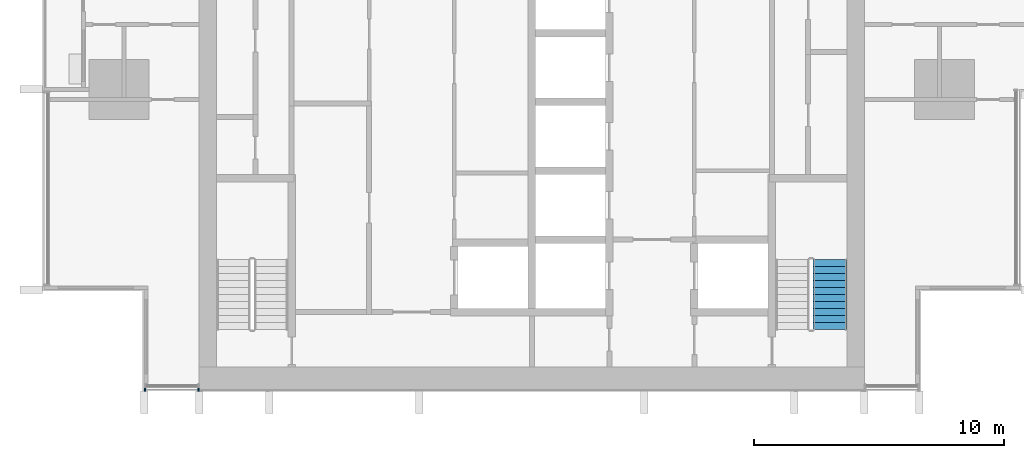
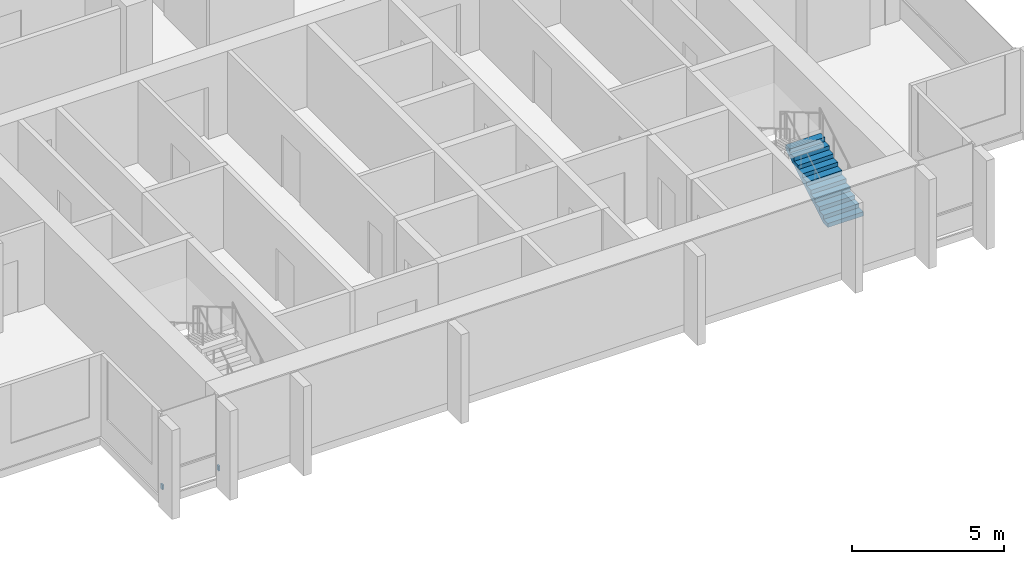
# One storey, part 12 of 17: 2 discrete accessories, 1 stair flight, 1 element without a shape of its own.
"""IFC4 building model written with IfcOpenShell, lengths in metres."""

from ifc_helpers import new_model, si_unit, direction, frame, origin, origin_2d, place, context, subcontext, project, spatial, polyline, rectangle, outline, extrude, material, type_object, element, aggregate, save


model = new_model("IFC4")

# Units and contexts
model_context = context("Model", 3, precision=1e-05, world=origin(), true_north=direction((0.0, 1.0)))
body_context = subcontext(model_context, "Body", "Model", "MODEL_VIEW")
ifc_project = project(units=[si_unit("LENGTHUNIT", "METRE"), si_unit("AREAUNIT", "SQUARE_METRE"), si_unit("VOLUMEUNIT", "CUBIC_METRE"), si_unit("PLANEANGLEUNIT", "RADIAN"), si_unit("MASSUNIT", "GRAM", prefix="KILO")], contexts=[model_context])

# Site, building, storey
site_placement = place(None, origin())
site = spatial("IfcSite", under=ifc_project, at=site_placement, CompositionType="ELEMENT")
building_placement = place(site_placement, origin())
building = spatial("IfcBuilding", under=site, at=building_placement, Name="Finial Court Residences", CompositionType="ELEMENT")
storey_placement = place(building_placement, frame((0.0, 0.0, 174.5)))
storey = spatial("IfcBuildingStorey", under=building, at=storey_placement, Name="L43", CompositionType="ELEMENT", Elevation=174.5)

# Stair, stair flight
ifc_material_1 = material(Name="Concrete C50/60", Category="concrete")
stair_type = type_object("IfcStairType", Name="Exit stair 22 risers of 163.6 mm", PredefinedType="HALF_TURN_STAIR", material=ifc_material_1)
stair_placement = place(storey_placement, origin())
stair = element("IfcStair", 1, at=stair_placement, inside=storey, type_object=stair_type, Name="L43 Exit stair ST-2", PredefinedType="HALF_TURN_STAIR")
stair_flight_type = type_object("IfcStairFlightType", Name="Exit stair flight", PredefinedType="STRAIGHT", material=ifc_material_1)
stair_flight_placement = place(storey_placement, frame((11.925048828125, -23.10009765625, 0.0), z_axis=(0.0, 0.0, 1.0), x_axis=(0.0, 1.0, 0.0)))
stair_flight = element("IfcStairFlight", 2, at=stair_flight_placement, type_object=stair_flight_type, Name="ST-2 flight 1", NumberOfRisers=11, NumberOfTreads=10, PredefinedType="STRAIGHT", RiserHeight=0.163636364, TreadLength=0.28, context=body_context, shape_type="SweptSolid", body=[
    extrude(outline(polyline([(0.0, 0.0), (0.0, 0.16357421875), (0.280029296875, 0.16357421875), (0.280029296875, 0.327392578125), (0.56005859375, 0.327392578125), (0.56005859375, 0.490966796875), (0.840087890625, 0.490966796875), (0.840087890625, 0.654541015625), (1.1201171875, 0.654541015625), (1.1201171875, 0.818115234375), (1.39990234375, 0.818115234375), (1.39990234375, 0.98193359375), (1.679931640625, 0.98193359375), (1.679931640625, 1.1455078125), (1.9599609375, 1.1455078125), (1.9599609375, 1.30908203125), (2.239990234375, 1.30908203125), (2.239990234375, 1.47265625), (2.52001953125, 1.47265625), (2.52001953125, 1.636474609375), (2.800048828125, 1.636474609375), (2.800048828125, 1.800048828125), (2.800048828125, 1.462646484375), (0.297119140625, 0.0), (0.0, 0.0)])), frame((0.0, 0.675048828125, 0.0), z_axis=(0.0, -1.0, 0.0), x_axis=(1.0, 0.0, 0.0)), (0.0, 0.0, 1.0), 1.35009765625),
])
aggregate(stair, [stair_flight])

# Discrete accessories
ifc_material_2 = material(Name="Stainless steel 316", Category="steel")
discrete_accessory_type = type_object("IfcDiscreteAccessoryType", Name="Fin bracket, stainless steel 60 x 122 x 200", PredefinedType="BRACKET", material=ifc_material_2)
for number, where, z_axis, x_axis, name in (
    (3, (-15.469970703125, -25.498779296875, 0.2998046875), (0.0, 0.0, 1.0), (1.0, 0.0, 0.0), "E-L43-FIN-S14-BRK"),
    (4, (-13.330078125, -25.498779296875, 0.2998046875), (0.0, 0.0, 1.0), (1.0, 0.0, 0.0), "E-L43-FIN-S15-BRK"),
):
    element("IfcDiscreteAccessory", number, at=place(storey_placement, frame(where, z_axis=z_axis, x_axis=x_axis)), inside=storey, type_object=discrete_accessory_type, Name=name, PredefinedType="BRACKET", context=body_context, shape_type="SweptSolid", body=[
        extrude(rectangle(XDim=0.06005859375, YDim=0.12255859375, at=origin_2d()), origin(), (0.0, 0.0, 1.0), 0.199951171875),
    ])

save(model, "model.ifc")
